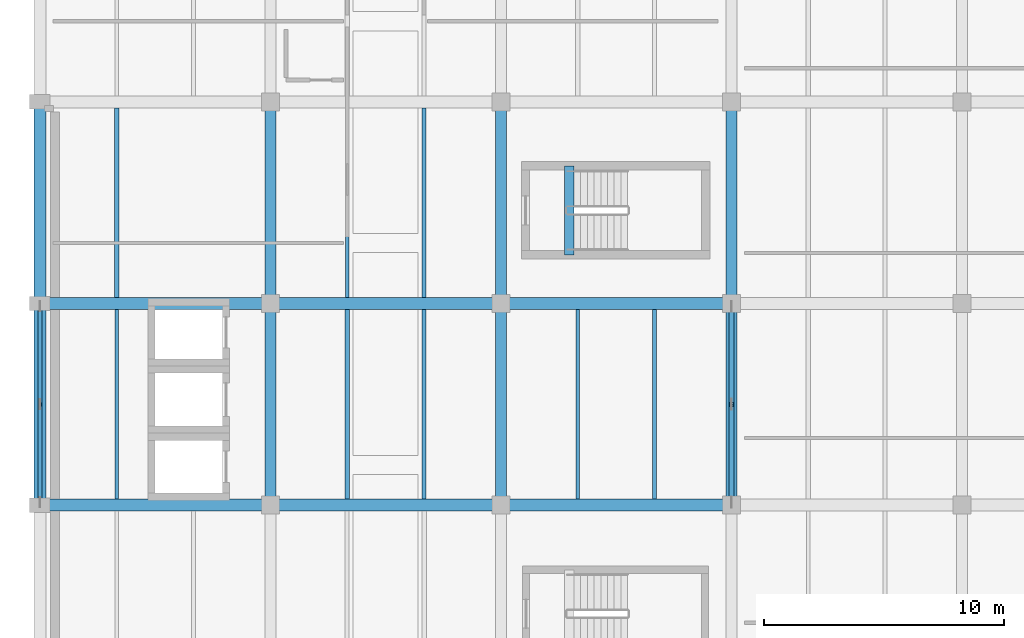
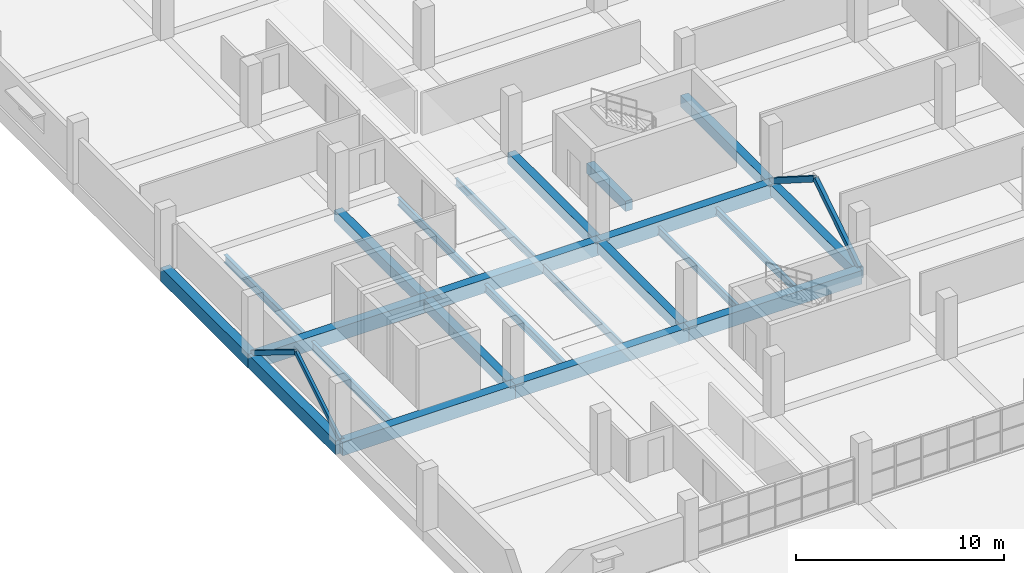
# One storey, part 24 of 147: 23 beams, 4 members.
"""IFC4 building model written with IfcOpenShell, lengths in metres."""

from ifc_helpers import new_model, si_unit, direction, frame, origin, origin_2d, place, context, subcontext, project, spatial, rectangle, hollow_rectangle, i_section, extrude, material, material_profile, profile_set, type_object, element, save


model = new_model("IFC4")

# Units and contexts
model_context = context("Model", 3, precision=1e-05, world=origin(), true_north=direction((0.0, 1.0)))
body_context = subcontext(model_context, "Body", "Model", "MODEL_VIEW")
ifc_project = project(units=[si_unit("LENGTHUNIT", "METRE"), si_unit("AREAUNIT", "SQUARE_METRE"), si_unit("VOLUMEUNIT", "CUBIC_METRE"), si_unit("PLANEANGLEUNIT", "RADIAN"), si_unit("MASSUNIT", "GRAM", prefix="KILO")], contexts=[model_context])

# Site, building, storey
site_placement = place(None, origin())
site = spatial("IfcSite", under=ifc_project, at=site_placement, CompositionType="ELEMENT")
building_placement = place(site_placement, origin())
building = spatial("IfcBuilding", under=site, at=building_placement, Name="Oolite Switchyard Hospital", CompositionType="ELEMENT")
storey_placement = place(building_placement, frame((0.0, 0.0, 9.89990234375)))
storey = spatial("IfcBuildingStorey", under=building, at=storey_placement, Name="L02", CompositionType="ELEMENT", Elevation=9.89990234375)

# Beams
ifc_material_1 = material(Name="Concrete C40/50", Category="concrete")
ifc_material_profile_1 = material_profile(ifc_material_1, rectangle(XDim=0.39990234375, YDim=0.60009765625, at=origin_2d()), Name="RCB400X600")
ifc_profile_set_1 = profile_set([ifc_material_profile_1], Name="Concrete C40/50")
beam_type_1 = type_object("IfcBeamType", Name="BM-RC400X600", PredefinedType="BEAM", material=ifc_profile_set_1)
beam_1_placement = place(storey_placement, frame((22.0400390625, 60.824951171875, -0.2998046875), z_axis=(0.0, 1.0, 0.0), x_axis=(-1.0, 0.0, 0.0)))
element("IfcBeam", 1, at=beam_1_placement, inside=storey, type_object=beam_type_1, Name="L02 ST-02 Stair Throat Trimmer Beam", PredefinedType="BEAM", context=body_context, shape_type="SweptSolid", body=[
    extrude(rectangle(XDim=0.39990234375, YDim=0.60009765625, at=origin_2d()), origin(), (0.0, 0.0, 1.0), 3.7099609375),
])
ifc_material_profile_2 = material_profile(ifc_material_1, rectangle(XDim=0.449951171875, YDim=0.64990234375, at=origin_2d()), Name="RCB450X650")
ifc_profile_set_2 = profile_set([ifc_material_profile_2], Name="Concrete C40/50")
beam_type_2 = type_object("IfcBeamType", Name="BM-RC450X650", PredefinedType="BEAM", material=ifc_profile_set_2)
beam_2_placement = place(storey_placement, frame((9.60009765625, 50.39990234375, -0.324951171875), z_axis=(0.0, 1.0, 0.0), x_axis=(-1.0, 0.0, 0.0)))
element("IfcBeam", 2, at=beam_2_placement, inside=storey, type_object=beam_type_2, Name="L02 Y-Girder 1267", PredefinedType="BEAM", context=body_context, shape_type="SweptSolid", body=[
    extrude(rectangle(XDim=0.449951171875, YDim=0.64990234375, at=origin_2d()), origin(), (0.0, 0.0, 1.0), 8.400146484375),
])
beam_3_placement = place(storey_placement, frame((9.60009765625, 58.800048828125, -0.324951171875), z_axis=(0.0, 1.0, 0.0), x_axis=(-1.0, 0.0, 0.0)))
element("IfcBeam", 3, at=beam_3_placement, inside=storey, type_object=beam_type_2, Name="L02 Y-Girder 1268", PredefinedType="BEAM", context=body_context, shape_type="SweptSolid", body=[
    extrude(rectangle(XDim=0.449951171875, YDim=0.64990234375, at=origin_2d()), origin(), (0.0, 0.0, 1.0), 8.39990234375),
])
beam_4_placement = place(storey_placement, frame((19.199951171875, 50.39990234375, -0.324951171875), z_axis=(0.0, 1.0, 0.0), x_axis=(-1.0, 0.0, 0.0)))
element("IfcBeam", 4, at=beam_4_placement, inside=storey, type_object=beam_type_2, Name="L02 Y-Girder 1283", PredefinedType="BEAM", context=body_context, shape_type="SweptSolid", body=[
    extrude(rectangle(XDim=0.449951171875, YDim=0.64990234375, at=origin_2d()), origin(), (0.0, 0.0, 1.0), 8.400146484375),
])
beam_5_placement = place(storey_placement, frame((19.199951171875, 58.800048828125, -0.324951171875), z_axis=(0.0, 1.0, 0.0), x_axis=(-1.0, 0.0, 0.0)))
element("IfcBeam", 5, at=beam_5_placement, inside=storey, type_object=beam_type_2, Name="L02 Y-Girder 1284", PredefinedType="BEAM", context=body_context, shape_type="SweptSolid", body=[
    extrude(rectangle(XDim=0.449951171875, YDim=0.64990234375, at=origin_2d()), origin(), (0.0, 0.0, 1.0), 8.39990234375),
])
beam_6_placement = place(storey_placement, frame((28.800048828125, 50.39990234375, -0.324951171875), z_axis=(0.0, 1.0, 0.0), x_axis=(-1.0, 0.0, 0.0)))
element("IfcBeam", 6, at=beam_6_placement, inside=storey, type_object=beam_type_2, Name="L02 Y-Girder 1299", PredefinedType="BEAM", context=body_context, shape_type="SweptSolid", body=[
    extrude(rectangle(XDim=0.449951171875, YDim=0.64990234375, at=origin_2d()), origin(), (0.0, 0.0, 1.0), 8.400146484375),
])
beam_7_placement = place(storey_placement, frame((28.800048828125, 58.800048828125, -0.324951171875), z_axis=(0.0, 1.0, 0.0), x_axis=(-1.0, 0.0, 0.0)))
element("IfcBeam", 7, at=beam_7_placement, inside=storey, type_object=beam_type_2, Name="L02 Y-Girder 1300", PredefinedType="BEAM", context=body_context, shape_type="SweptSolid", body=[
    extrude(rectangle(XDim=0.449951171875, YDim=0.64990234375, at=origin_2d()), origin(), (0.0, 0.0, 1.0), 8.39990234375),
])
ifc_material_profile_3 = material_profile(ifc_material_1, rectangle(XDim=0.5, YDim=0.800048828125, at=origin_2d()), Name="RCB500X800")
ifc_profile_set_3 = profile_set([ifc_material_profile_3], Name="Concrete C40/50")
beam_type_3 = type_object("IfcBeamType", Name="BM-RC500X800", PredefinedType="BEAM", material=ifc_profile_set_3)
beam_8_placement = place(storey_placement, frame((0.0, 50.39990234375, -0.39990234375), z_axis=(1.0, 0.0, 0.0), x_axis=(0.0, 1.0, 0.0)))
element("IfcBeam", 8, at=beam_8_placement, inside=storey, type_object=beam_type_3, Name="L02 X-Girder 1062", PredefinedType="BEAM", context=body_context, shape_type="SweptSolid", body=[
    extrude(rectangle(XDim=0.5, YDim=0.800048828125, at=origin_2d()), origin(), (0.0, 0.0, 1.0), 9.60009765625),
])
beam_9_placement = place(storey_placement, frame((9.60009765625, 50.39990234375, -0.39990234375), z_axis=(1.0, 0.0, 0.0), x_axis=(0.0, 1.0, 0.0)))
element("IfcBeam", 9, at=beam_9_placement, inside=storey, type_object=beam_type_3, Name="L02 X-Girder 1063", PredefinedType="BEAM", context=body_context, shape_type="SweptSolid", body=[
    extrude(rectangle(XDim=0.5, YDim=0.800048828125, at=origin_2d()), origin(), (0.0, 0.0, 1.0), 9.599853515625),
])
for number, where, z_axis, x_axis, name in (
    (10, (19.199951171875, 50.39990234375, -0.39990234375), (1.0, 0.0, 0.0), (0.0, 1.0, 0.0), "L02 X-Girder 1064"),
    (11, (0.0, 58.800048828125, -0.39990234375), (1.0, 0.0, 0.0), (0.0, 1.0, 0.0), "L02 X-Girder 1078"),
):
    element("IfcBeam", number, at=place(storey_placement, frame(where, z_axis=z_axis, x_axis=x_axis)), inside=storey, type_object=beam_type_3, Name=name, PredefinedType="BEAM", context=body_context, shape_type="SweptSolid", body=[
        extrude(rectangle(XDim=0.5, YDim=0.800048828125, at=origin_2d()), origin(), (0.0, 0.0, 1.0), 9.60009765625),
    ])
beam_10_placement = place(storey_placement, frame((9.60009765625, 58.800048828125, -0.39990234375), z_axis=(1.0, 0.0, 0.0), x_axis=(0.0, 1.0, 0.0)))
element("IfcBeam", 12, at=beam_10_placement, inside=storey, type_object=beam_type_3, Name="L02 X-Girder 1079", PredefinedType="BEAM", context=body_context, shape_type="SweptSolid", body=[
    extrude(rectangle(XDim=0.5, YDim=0.800048828125, at=origin_2d()), origin(), (0.0, 0.0, 1.0), 9.599853515625),
])
beam_11_placement = place(storey_placement, frame((19.199951171875, 58.800048828125, -0.39990234375), z_axis=(1.0, 0.0, 0.0), x_axis=(0.0, 1.0, 0.0)))
element("IfcBeam", 13, at=beam_11_placement, inside=storey, type_object=beam_type_3, Name="L02 X-Girder 1080", PredefinedType="BEAM", context=body_context, shape_type="SweptSolid", body=[
    extrude(rectangle(XDim=0.5, YDim=0.800048828125, at=origin_2d()), origin(), (0.0, 0.0, 1.0), 9.60009765625),
])
beam_12_placement = place(storey_placement, frame((0.0, 50.39990234375, -0.39990234375), z_axis=(0.0, 1.0, 0.0), x_axis=(-1.0, 0.0, 0.0)))
element("IfcBeam", 14, at=beam_12_placement, inside=storey, type_object=beam_type_3, Name="L02 Y-Girder 1254", PredefinedType="BEAM", context=body_context, shape_type="SweptSolid", body=[
    extrude(rectangle(XDim=0.5, YDim=0.800048828125, at=origin_2d()), origin(), (0.0, 0.0, 1.0), 8.400146484375),
])
beam_13_placement = place(storey_placement, frame((0.0, 58.800048828125, -0.39990234375), z_axis=(0.0, 1.0, 0.0), x_axis=(-1.0, 0.0, 0.0)))
element("IfcBeam", 15, at=beam_13_placement, inside=storey, type_object=beam_type_3, Name="L02 Y-Girder 1255", PredefinedType="BEAM", context=body_context, shape_type="SweptSolid", body=[
    extrude(rectangle(XDim=0.5, YDim=0.800048828125, at=origin_2d()), origin(), (0.0, 0.0, 1.0), 8.39990234375),
])
ifc_material_2 = material(Name="Steel ASTM A992 Grade 50", Category="steel")
ifc_material_profile_4 = material_profile(ifc_material_2, i_section(OverallWidth=0.179931640625, OverallDepth=0.4130859375, WebThickness=0.010009765625, FlangeThickness=0.01611328125, at=origin_2d()), Name="W16X50")
ifc_profile_set_4 = profile_set([ifc_material_profile_4], Name="Steel ASTM A992 Grade 50")
beam_type_4 = type_object("IfcBeamType", Name="BM-W16X50", PredefinedType="JOIST", material=ifc_profile_set_4)
beam_14_placement = place(storey_placement, frame((16.0, 59.050048828125, -0.4658203125), z_axis=(0.0, 1.0, 0.0), x_axis=(-1.0, 0.0, 0.0)))
element("IfcBeam", 16, at=beam_14_placement, inside=storey, type_object=beam_type_4, Name="L02 Secondary Steel Joist 1547", PredefinedType="JOIST", context=body_context, shape_type="SweptSolid", body=[
    extrude(i_section(OverallWidth=0.179931640625, OverallDepth=0.4130859375, WebThickness=0.010009765625, FlangeThickness=0.01611328125, at=origin_2d()), origin(), (0.0, 0.0, 1.0), 7.89990234375),
])
beam_15_placement = place(storey_placement, frame((25.60009765625, 50.64990234375, -0.4658203125), z_axis=(0.0, 1.0, 0.0), x_axis=(-1.0, 0.0, 0.0)))
element("IfcBeam", 17, at=beam_15_placement, inside=storey, type_object=beam_type_4, Name="L02 Secondary Steel Joist 1575", PredefinedType="JOIST", context=body_context, shape_type="SweptSolid", body=[
    extrude(i_section(OverallWidth=0.179931640625, OverallDepth=0.4130859375, WebThickness=0.010009765625, FlangeThickness=0.01611328125, at=origin_2d()), origin(), (0.0, 0.0, 1.0), 7.900146484375),
])
ifc_material_profile_5 = material_profile(ifc_material_2, i_section(OverallWidth=0.153076171875, OverallDepth=0.455078125, WebThickness=0.008056640625, FlangeThickness=0.012939453125, at=origin_2d()), Name="W18X40")
ifc_profile_set_5 = profile_set([ifc_material_profile_5], Name="Steel ASTM A992 Grade 50")
beam_type_5 = type_object("IfcBeamType", Name="BM-W18X40", PredefinedType="JOIST", material=ifc_profile_set_5)
beam_16_placement = place(storey_placement, frame((16.0, 50.64990234375, -0.48681640625), z_axis=(0.0, 1.0, 0.0), x_axis=(-1.0, 0.0, 0.0)))
element("IfcBeam", 18, at=beam_16_placement, inside=storey, type_object=beam_type_5, Name="L02 Secondary Steel Joist 1545", PredefinedType="JOIST", context=body_context, shape_type="SweptSolid", body=[
    extrude(i_section(OverallWidth=0.153076171875, OverallDepth=0.455078125, WebThickness=0.008056640625, FlangeThickness=0.012939453125, at=origin_2d()), origin(), (0.0, 0.0, 1.0), 7.900146484375),
])
beam_17_placement = place(storey_placement, frame((12.800048828125, 59.050048828125, -0.48681640625), z_axis=(0.0, 1.0, 0.0), x_axis=(-1.0, 0.0, 0.0)))
element("IfcBeam", 19, at=beam_17_placement, inside=storey, type_object=beam_type_5, Name="L02 Secondary Steel Joist 1546", PredefinedType="JOIST", context=body_context, shape_type="SweptSolid", body=[
    extrude(i_section(OverallWidth=0.153076171875, OverallDepth=0.455078125, WebThickness=0.008056640625, FlangeThickness=0.012939453125, at=origin_2d()), origin(), (0.0, 0.0, 1.0), 7.89990234375),
])
beam_18_placement = place(storey_placement, frame((22.39990234375, 50.64990234375, -0.48681640625), z_axis=(0.0, 1.0, 0.0), x_axis=(-1.0, 0.0, 0.0)))
element("IfcBeam", 20, at=beam_18_placement, inside=storey, type_object=beam_type_5, Name="L02 Secondary Steel Joist 1574", PredefinedType="JOIST", context=body_context, shape_type="SweptSolid", body=[
    extrude(i_section(OverallWidth=0.153076171875, OverallDepth=0.455078125, WebThickness=0.008056640625, FlangeThickness=0.012939453125, at=origin_2d()), origin(), (0.0, 0.0, 1.0), 7.900146484375),
])
ifc_material_profile_6 = material_profile(ifc_material_2, i_section(OverallWidth=0.19091796875, OverallDepth=0.4599609375, WebThickness=0.010009765625, FlangeThickness=0.01611328125, at=origin_2d()), Name="W18X55")
ifc_profile_set_6 = profile_set([ifc_material_profile_6], Name="Steel ASTM A992 Grade 50")
beam_type_6 = type_object("IfcBeamType", Name="BM-W18X55", PredefinedType="JOIST", material=ifc_profile_set_6)
beam_19_placement = place(storey_placement, frame((3.199951171875, 59.050048828125, -0.489990234375), z_axis=(0.0, 1.0, 0.0), x_axis=(-1.0, 0.0, 0.0)))
element("IfcBeam", 21, at=beam_19_placement, inside=storey, type_object=beam_type_6, Name="L02 Secondary Steel Joist 1521", PredefinedType="JOIST", context=body_context, shape_type="SweptSolid", body=[
    extrude(i_section(OverallWidth=0.19091796875, OverallDepth=0.4599609375, WebThickness=0.010009765625, FlangeThickness=0.01611328125, at=origin_2d()), origin(), (0.0, 0.0, 1.0), 7.89990234375),
])
beam_20_placement = place(storey_placement, frame((12.800048828125, 50.64990234375, -0.489990234375), z_axis=(0.0, 1.0, 0.0), x_axis=(-1.0, 0.0, 0.0)))
element("IfcBeam", 22, at=beam_20_placement, inside=storey, type_object=beam_type_6, Name="L02 Secondary Steel Joist 1544", PredefinedType="JOIST", context=body_context, shape_type="SweptSolid", body=[
    extrude(i_section(OverallWidth=0.19091796875, OverallDepth=0.4599609375, WebThickness=0.010009765625, FlangeThickness=0.01611328125, at=origin_2d()), origin(), (0.0, 0.0, 1.0), 7.900146484375),
])
ifc_material_profile_7 = material_profile(ifc_material_2, i_section(OverallWidth=0.166015625, OverallDepth=0.529052734375, WebThickness=0.010009765625, FlangeThickness=0.013916015625, at=origin_2d()), Name="W21X50")
ifc_profile_set_7 = profile_set([ifc_material_profile_7], Name="Steel ASTM A992 Grade 50")
beam_type_7 = type_object("IfcBeamType", Name="BM-W21X50", PredefinedType="JOIST", material=ifc_profile_set_7)
beam_21_placement = place(storey_placement, frame((3.199951171875, 50.64990234375, -0.52392578125), z_axis=(0.0, 1.0, 0.0), x_axis=(-1.0, 0.0, 0.0)))
element("IfcBeam", 23, at=beam_21_placement, inside=storey, type_object=beam_type_7, Name="L02 Secondary Steel Joist 1520", PredefinedType="JOIST", context=body_context, shape_type="SweptSolid", body=[
    extrude(i_section(OverallWidth=0.166015625, OverallDepth=0.529052734375, WebThickness=0.010009765625, FlangeThickness=0.013916015625, at=origin_2d()), origin(), (0.0, 0.0, 1.0), 7.900146484375),
])

# Members
ifc_material_3 = material(Name="Steel ASTM A500 Grade C", Category="steel")
ifc_material_profile_8 = material_profile(ifc_material_3, hollow_rectangle(XDim=0.152099609375, YDim=0.25390625, WallThickness=0.012939453125, at=origin_2d()), Name="HSS254X152X13")
ifc_profile_set_8 = profile_set([ifc_material_profile_8], Name="Steel ASTM A500 Grade C")
member_type_1 = type_object("IfcMemberType", Name="MEM-BR-RHS254", PredefinedType="BRACE", material=ifc_profile_set_8)
member_1_placement = place(storey_placement, frame((0.0, 50.39990234375, 0.02001953125), z_axis=(0.0, 0.851637920254, 0.524130568452), x_axis=(-1.0, 0.0, 0.0)))
element("IfcMember", 24, at=member_1_placement, inside=storey, type_object=member_type_1, Name="L02 Chevron Brace 5", PredefinedType="BRACE", context=body_context, shape_type="SweptSolid", body=[
    extrude(hollow_rectangle(XDim=0.152099609375, YDim=0.25390625, WallThickness=0.012939453125, at=origin_2d()), origin(), (0.0, 0.0, 1.0), 4.931884765625),
])
member_2_placement = place(storey_placement, frame((0.0, 58.800048828125, 0.02001953125), z_axis=(0.0, -0.85162432047, 0.524152665531), x_axis=(1.0, 0.0, 0.0)))
element("IfcMember", 25, at=member_2_placement, inside=storey, type_object=member_type_1, Name="L02 Chevron Brace 6", PredefinedType="BRACE", context=body_context, shape_type="SweptSolid", body=[
    extrude(hollow_rectangle(XDim=0.152099609375, YDim=0.25390625, WallThickness=0.012939453125, at=origin_2d()), origin(), (0.0, 0.0, 1.0), 4.931640625),
])
ifc_material_profile_9 = material_profile(ifc_material_3, hollow_rectangle(XDim=0.202880859375, YDim=0.304931640625, WallThickness=0.012939453125, at=origin_2d()), Name="HSS305X203X13")
ifc_profile_set_9 = profile_set([ifc_material_profile_9], Name="Steel ASTM A500 Grade C")
member_type_2 = type_object("IfcMemberType", Name="MEM-BR-RHS305", PredefinedType="BRACE", material=ifc_profile_set_9)
member_3_placement = place(storey_placement, frame((28.800048828125, 50.39990234375, 0.02001953125), z_axis=(0.0, 0.844105665269, 0.536176860617), x_axis=(-1.0, 0.0, 0.0)))
element("IfcMember", 26, at=member_3_placement, inside=storey, type_object=member_type_2, Name="L02 Chevron Brace 19", PredefinedType="BRACE", context=body_context, shape_type="SweptSolid", body=[
    extrude(hollow_rectangle(XDim=0.202880859375, YDim=0.304931640625, WallThickness=0.012939453125, at=origin_2d()), origin(), (0.0, 0.0, 1.0), 4.975830078125),
])
member_4_placement = place(storey_placement, frame((28.800048828125, 58.800048828125, 0.02001953125), z_axis=(0.0, -0.844091559054, 0.53619906745), x_axis=(1.0, 0.0, 0.0)))
element("IfcMember", 27, at=member_4_placement, inside=storey, type_object=member_type_2, Name="L02 Chevron Brace 20", PredefinedType="BRACE", context=body_context, shape_type="SweptSolid", body=[
    extrude(hollow_rectangle(XDim=0.202880859375, YDim=0.304931640625, WallThickness=0.012939453125, at=origin_2d()), origin(), (0.0, 0.0, 1.0), 4.9755859375),
])

save(model, "model.ifc")
